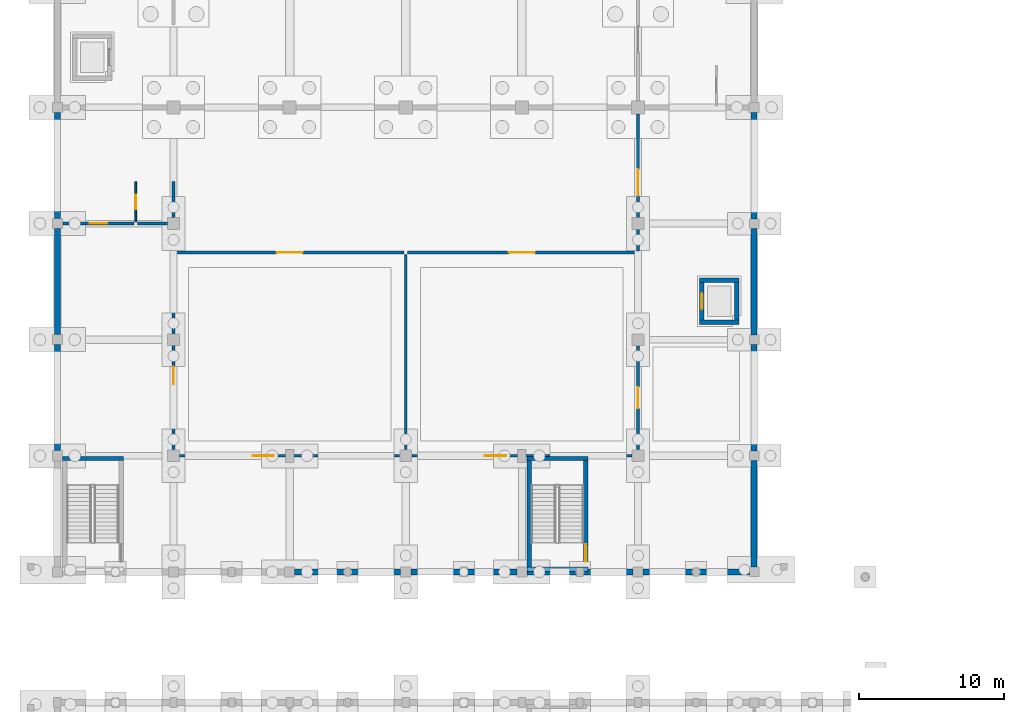
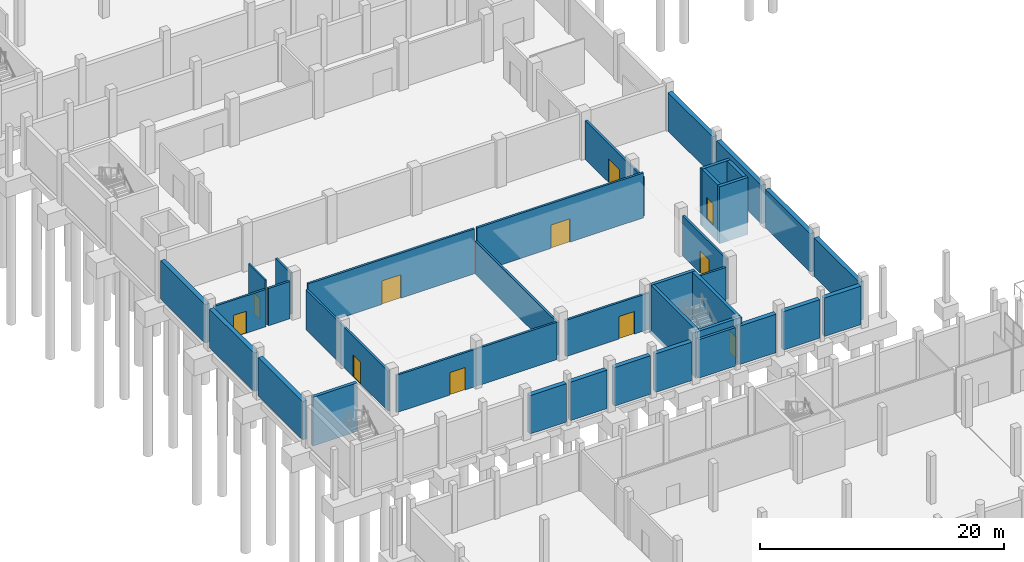
# One storey, part 26 of 52: 36 walls, 11 doors, 11 openings.
"""IFC4 building model written with IfcOpenShell, lengths in metres."""

from ifc_helpers import new_model, si_unit, direction, frame, frame_2d, origin, place, context, subcontext, project, spatial, rectangle, extrude, material, layer, layer_set, type_object, element, fill, save


model = new_model("IFC4")

# Units and contexts
model_context = context("Model", 3, precision=1e-05, world=origin(), true_north=direction((0.0, 1.0)))
body_context = subcontext(model_context, "Body", "Model", "MODEL_VIEW")
ifc_project = project(units=[si_unit("LENGTHUNIT", "METRE"), si_unit("AREAUNIT", "SQUARE_METRE"), si_unit("VOLUMEUNIT", "CUBIC_METRE"), si_unit("PLANEANGLEUNIT", "RADIAN"), si_unit("MASSUNIT", "GRAM", prefix="KILO")], contexts=[model_context])

# Site, building, storey
site_placement = place(None, origin())
site = spatial("IfcSite", under=ifc_project, at=site_placement, CompositionType="ELEMENT")
building_placement = place(site_placement, origin())
building = spatial("IfcBuilding", under=site, at=building_placement, Name="Luwemba Playhouse", CompositionType="ELEMENT")
storey_placement = place(building_placement, frame((0.0, 0.0, -4.800048828125)))
storey = spatial("IfcBuildingStorey", under=building, at=storey_placement, Name="B1", CompositionType="ELEMENT", Elevation=-4.800048828125)

# Walls
ifc_material_1 = material(Name="Concrete C40/50", Category="concrete")
ifc_layer_1 = layer(ifc_material_1, 0.300048828125)
ifc_layer_set_1 = layer_set([ifc_layer_1], Name="Concrete C40/50")
wall_type_1 = type_object("IfcWallType", Name="WAL-CORE-300", PredefinedType="SHEAR", material=ifc_layer_set_1)
wall_1_placement = place(storey_placement, frame((8.550048828125, 43.81005859375, -0.3798828125), z_axis=(0.0, 0.0, 1.0), x_axis=(-1.0, 0.0, 0.0)))
element("IfcWall", 1, at=wall_1_placement, inside=storey, type_object=wall_type_1, Name="B1 ST-01 stair core wall N", PredefinedType="SHEAR", context=body_context, shape_type="SweptSolid", body=[
    extrude(rectangle(XDim=4.199951171875, YDim=0.300048828125, at=frame_2d((2.10009765625, 0.0))), origin(), (0.0, 0.0, 1.0), 4.8798828125),
])
wall_2_placement = place(storey_placement, frame((36.35009765625, 36.18994140625, 3.85009765625), z_axis=(0.0, 0.0, 1.0), x_axis=(1.0, 0.0, 0.0)))
element("IfcWall", 2, at=wall_2_placement, inside=storey, type_object=wall_type_1, Name="B1 ST-02 stair core wall S", PredefinedType="SHEAR", context=body_context, shape_type="SweptSolid", body=[
    extrude(rectangle(XDim=4.199951171875, YDim=0.300048828125, at=frame_2d((2.10009765625, 0.0))), origin(), (0.0, 0.0, 1.0), 0.64990234375),
])
wall_3_placement = place(storey_placement, frame((40.550048828125, 43.81005859375, -0.3798828125), z_axis=(0.0, 0.0, 1.0), x_axis=(-1.0, 0.0, 0.0)))
element("IfcWall", 3, at=wall_3_placement, inside=storey, type_object=wall_type_1, Name="B1 ST-02 stair core wall N", PredefinedType="SHEAR", context=body_context, shape_type="SweptSolid", body=[
    extrude(rectangle(XDim=4.199951171875, YDim=0.300048828125, at=frame_2d((2.10009765625, 0.0))), origin(), (0.0, 0.0, 1.0), 4.8798828125),
])
wall_4_placement = place(storey_placement, frame((36.5, 36.340087890625, -0.3798828125), z_axis=(0.0, 0.0, 1.0), x_axis=(0.0, 1.0, 0.0)))
element("IfcWall", 4, at=wall_4_placement, inside=storey, type_object=wall_type_1, Name="B1 ST-02 stair core wall W", PredefinedType="SHEAR", context=body_context, shape_type="SweptSolid", body=[
    extrude(rectangle(XDim=7.31982421875, YDim=0.300048828125, at=frame_2d((3.659912109375, 0.0))), origin(), (0.0, 0.0, 1.0), 4.8798828125),
])

# Wall, opening, door
wall_5_placement = place(storey_placement, frame((40.39990234375, 36.340087890625, -0.3798828125), z_axis=(0.0, 0.0, 1.0), x_axis=(0.0, 1.0, 0.0)))
wall_5 = element("IfcWall", 5, at=wall_5_placement, inside=storey, type_object=wall_type_1, Name="B1 ST-02 stair core wall E", PredefinedType="SHEAR", context=body_context, shape_type="SweptSolid", body=[
    extrude(rectangle(XDim=7.31982421875, YDim=0.300048828125, at=frame_2d((3.659912109375, 0.0))), origin(), (0.0, 0.0, 1.0), 4.8798828125),
])
opening_1_placement = place(wall_5_placement, frame((0.35009765625, 0.0, 0.3798828125)))
opening_1 = element("IfcOpeningElement", 6, at=opening_1_placement, cuts=wall_5, Name="Opening D-STAIR3", PredefinedType="OPENING", context=body_context, shape_type="SweptSolid", body=[
    extrude(rectangle(XDim=1.199951171875, YDim=2.14990234375, at=frame_2d((0.60009765625, 1.074951171875))), frame((0.0, 0.159912109375, 0.0), z_axis=(0.0, -1.0, 0.0), x_axis=(1.0, 0.0, 0.0)), (0.0, 0.0, 1.0), 0.320068359375),
])
ifc_material_2 = material(Name="Hardwood acoustic fire door leaf", Category="wood")
door_type_1 = type_object("IfcDoorType", Name="DR-STAIR-120", OperationType="NOTDEFINED", PredefinedType="DOOR", material=ifc_material_2)
door_1_placement = place(opening_1_placement, origin())
door_1 = element("IfcDoor", 7, at=door_1_placement, inside=storey, type_object=door_type_1, Name="B1 ST-02 protected stair entry door", OperationType="SINGLE_SWING_RIGHT", OverallHeight=2.14990234375, OverallWidth=1.199951171875, PredefinedType="DOOR", context=body_context, shape_type="SweptSolid", body=[
    extrude(rectangle(XDim=1.199951171875, YDim=2.14990234375, at=frame_2d((0.60009765625, 1.074951171875))), frame((0.0, 0.02490234375, 0.0), z_axis=(0.0, -1.0, 0.0), x_axis=(1.0, 0.0, 0.0)), (0.0, 0.0, 1.0), 0.050048828125),
])
fill(opening_1, door_1)

# Walls
for number, where, z_axis, x_axis, name in (
    (8, (48.25, 53.199951171875, -1.199951171875), (0.0, 0.0, 1.0), (1.0, 0.0, 0.0), "B1 Lift LF-P1 shaft wall S"),
    (9, (50.949951171875, 56.10009765625, -1.199951171875), (0.0, 0.0, 1.0), (-1.0, 0.0, 0.0), "B1 Lift LF-P1 shaft wall N"),
):
    element("IfcWall", number, at=place(storey_placement, frame(where, z_axis=z_axis, x_axis=x_axis)), inside=storey, type_object=wall_type_1, Name=name, PredefinedType="SHEAR", context=body_context, shape_type="SweptSolid", body=[
        extrude(rectangle(XDim=2.699951171875, YDim=0.300048828125, at=frame_2d((1.35009765625, 0.0))), origin(), (0.0, 0.0, 1.0), 5.699951171875),
    ])

# Wall, opening, door
wall_6_placement = place(storey_placement, frame((48.39990234375, 53.35009765625, -1.199951171875), z_axis=(0.0, 0.0, 1.0), x_axis=(0.0, 1.0, 0.0)))
wall_6 = element("IfcWall", 10, at=wall_6_placement, inside=storey, type_object=wall_type_1, Name="B1 Lift LF-P1 shaft wall W", PredefinedType="SHEAR", context=body_context, shape_type="SweptSolid", body=[
    extrude(rectangle(XDim=2.599853515625, YDim=0.300048828125, at=frame_2d((1.2998046875, 0.0))), origin(), (0.0, 0.0, 1.0), 5.699951171875),
])
opening_2_placement = place(wall_6_placement, frame((0.75, 0.0, 1.199951171875)))
opening_2 = element("IfcOpeningElement", 11, at=opening_2_placement, cuts=wall_6, Name="Opening LD-01", PredefinedType="OPENING", context=body_context, shape_type="SweptSolid", body=[
    extrude(rectangle(XDim=1.10009765625, YDim=2.14990234375, at=frame_2d((0.550048828125, 1.074951171875))), frame((0.0, 0.159912109375, 0.0), z_axis=(0.0, -1.0, 0.0), x_axis=(1.0, 0.0, 0.0)), (0.0, 0.0, 1.0), 0.320068359375),
])
ifc_material_3 = material(Name="Stainless steel lift landing doors", Category="steel")
door_type_2 = type_object("IfcDoorType", Name="DR-LIFT-110", OperationType="NOTDEFINED", PredefinedType="DOOR", material=ifc_material_3)
door_2_placement = place(opening_2_placement, origin())
door_2 = element("IfcDoor", 12, at=door_2_placement, inside=storey, type_object=door_type_2, Name="B1 Lift LF-P1 landing door", OperationType="DOUBLE_DOOR_SLIDING", OverallHeight=2.14990234375, OverallWidth=1.10009765625, PredefinedType="DOOR", context=body_context, shape_type="SweptSolid", body=[
    extrude(rectangle(XDim=1.10009765625, YDim=2.14990234375, at=frame_2d((0.550048828125, 1.074951171875))), frame((0.0, 0.02490234375, 0.0), z_axis=(0.0, -1.0, 0.0), x_axis=(1.0, 0.0, 0.0)), (0.0, 0.0, 1.0), 0.050048828125),
])
fill(opening_2, door_2)

# Wall
wall_7_placement = place(storey_placement, frame((50.800048828125, 55.949951171875, -1.199951171875), z_axis=(0.0, 0.0, 1.0), x_axis=(0.0, -1.0, 0.0)))
element("IfcWall", 13, at=wall_7_placement, inside=storey, type_object=wall_type_1, Name="B1 Lift LF-P1 shaft wall E", PredefinedType="SHEAR", context=body_context, shape_type="SweptSolid", body=[
    extrude(rectangle(XDim=2.599853515625, YDim=0.300048828125, at=frame_2d((1.2998046875, 0.0))), origin(), (0.0, 0.0, 1.0), 5.699951171875),
])

# Wall, opening, door
ifc_material_4 = material(Name="Moisture-resistant sanitary partition", Category="gypsum")
ifc_layer_2 = layer(ifc_material_4, 0.1201171875)
ifc_layer_set_2 = layer_set([ifc_layer_2], Name="Moisture-resistant sanitary partition")
wall_type_2 = type_object("IfcWallType", Name="WAL-INT-120", PredefinedType="PARTITIONING", material=ifc_layer_set_2)
wall_8_placement = place(storey_placement, frame((9.39990234375, 60.1201171875, 0.0), z_axis=(0.0, 0.0, 1.0), x_axis=(0.0, 1.0, 0.0)))
wall_8 = element("IfcWall", 14, at=wall_8_placement, inside=storey, type_object=wall_type_2, Name="B1 V1 interior partition 0012", PredefinedType="PARTITIONING", context=body_context, shape_type="SweptSolid", body=[
    extrude(rectangle(XDim=2.759765625, YDim=0.1201171875, at=frame_2d((1.3798828125, 0.0))), origin(), (0.0, 0.0, 1.0), 4.5),
])
opening_3_placement = place(wall_8_placement, frame((0.8798828125, 0.0, 0.0)))
opening_3 = element("IfcOpeningElement", 15, at=opening_3_placement, cuts=wall_8, Name="Opening D-AWC", PredefinedType="OPENING", context=body_context, shape_type="SweptSolid", body=[
    extrude(rectangle(XDim=1.0, YDim=2.10009765625, at=frame_2d((0.5, 1.050048828125))), frame((0.0, 0.070068359375, 0.0), z_axis=(0.0, -1.0, 0.0), x_axis=(1.0, 0.0, 0.0)), (0.0, 0.0, 1.0), 0.14013671875),
])
ifc_material_5 = material(Name="Accessible WC outward-assisted timber door", Category="wood")
door_type_3 = type_object("IfcDoorType", Name="DR-AWC-100", OperationType="NOTDEFINED", PredefinedType="DOOR", material=ifc_material_5)
door_3_placement = place(opening_3_placement, origin())
door_3 = element("IfcDoor", 16, at=door_3_placement, inside=storey, type_object=door_type_3, Name="B1 Lower Foyer Public Toilets to Lower Foyer Accessible WC door", OperationType="SINGLE_SWING_LEFT", OverallHeight=2.10009765625, OverallWidth=1.0, PredefinedType="DOOR", context=body_context, shape_type="SweptSolid", body=[
    extrude(rectangle(XDim=1.0, YDim=2.10009765625, at=frame_2d((0.5, 1.050048828125))), frame((0.0, 0.02490234375, 0.0), z_axis=(0.0, -1.0, 0.0), x_axis=(1.0, 0.0, 0.0)), (0.0, 0.0, 1.0), 0.050048828125),
])
fill(opening_3, door_3)

ifc_material_6 = material(Name="Clay acoustic masonry blockwork", Category="masonry")
ifc_layer_3 = layer(ifc_material_6, 0.199951171875)
ifc_layer_set_3 = layer_set([ifc_layer_3], Name="Clay acoustic masonry blockwork")
wall_type_3 = type_object("IfcWallType", Name="WAL-INT-200", PredefinedType="PARTITIONING", material=ifc_layer_set_3)
wall_9_placement = place(storey_placement, frame((12.1201171875, 58.0, 0.0), z_axis=(0.0, 0.0, 1.0), x_axis=(1.0, 0.0, 0.0)))
wall_9 = element("IfcWall", 17, at=wall_9_placement, inside=storey, type_object=wall_type_3, Name="B1 V1 interior partition 0001", PredefinedType="PARTITIONING", context=body_context, shape_type="SweptSolid", body=[
    extrude(rectangle(XDim=15.759765625, YDim=0.199951171875, at=frame_2d((7.8798828125, 0.0))), origin(), (0.0, 0.0, 1.0), 4.5),
])
opening_4_placement = place(wall_9_placement, frame((6.97998046875, 0.0, 0.0)))
opening_4 = element("IfcOpeningElement", 18, at=opening_4_placement, cuts=wall_9, Name="Opening D-AUD1", PredefinedType="OPENING", context=body_context, shape_type="SweptSolid", body=[
    extrude(rectangle(XDim=1.800048828125, YDim=2.35009765625, at=frame_2d((0.89990234375, 1.175048828125))), frame((0.0, 0.10986328125, 0.0), z_axis=(0.0, -1.0, 0.0), x_axis=(1.0, 0.0, 0.0)), (0.0, 0.0, 1.0), 0.219970703125),
])
ifc_material_7 = material(Name="Double acoustic timber theatre door", Category="wood")
door_type_4 = type_object("IfcDoorType", Name="DR-AUD-180", OperationType="NOTDEFINED", PredefinedType="DOOR", material=ifc_material_7)
door_4_placement = place(opening_4_placement, origin())
door_4 = element("IfcDoor", 19, at=door_4_placement, inside=storey, type_object=door_type_4, Name="B1 Orchestra Pit and Lift Chamber to Orchestra Warm-Up Hall door", OperationType="DOUBLE_DOOR_SINGLE_SWING", OverallHeight=2.35009765625, OverallWidth=1.800048828125, PredefinedType="DOOR", context=body_context, shape_type="SweptSolid", body=[
    extrude(rectangle(XDim=1.800048828125, YDim=2.35009765625, at=frame_2d((0.89990234375, 1.175048828125))), frame((0.0, 0.02490234375, 0.0), z_axis=(0.0, -1.0, 0.0), x_axis=(1.0, 0.0, 0.0)), (0.0, 0.0, 1.0), 0.050048828125),
])
fill(opening_4, door_4)

wall_10_placement = place(storey_placement, frame((28.1201171875, 58.0, 0.0), z_axis=(0.0, 0.0, 1.0), x_axis=(1.0, 0.0, 0.0)))
wall_10 = element("IfcWall", 20, at=wall_10_placement, inside=storey, type_object=wall_type_3, Name="B1 V1 interior partition 0002", PredefinedType="PARTITIONING", context=body_context, shape_type="SweptSolid", body=[
    extrude(rectangle(XDim=15.759765625, YDim=0.199951171875, at=frame_2d((7.8798828125, 0.0))), origin(), (0.0, 0.0, 1.0), 4.5),
])
opening_5_placement = place(wall_10_placement, frame((6.97998046875, 0.0, 0.0)))
opening_5 = element("IfcOpeningElement", 21, at=opening_5_placement, cuts=wall_10, Name="Opening D-AUD1", PredefinedType="OPENING", context=body_context, shape_type="SweptSolid", body=[
    extrude(rectangle(XDim=1.800048828125, YDim=2.35009765625, at=frame_2d((0.89990234375, 1.175048828125))), frame((0.0, 0.10986328125, 0.0), z_axis=(0.0, -1.0, 0.0), x_axis=(1.0, 0.0, 0.0)), (0.0, 0.0, 1.0), 0.219970703125),
])
door_5_placement = place(opening_5_placement, origin())
door_5 = element("IfcDoor", 22, at=door_5_placement, inside=storey, type_object=door_type_4, Name="B1 Orchestra Pit and Lift Chamber to Instrument Vault and Ensemble Room door", OperationType="DOUBLE_DOOR_SINGLE_SWING", OverallHeight=2.35009765625, OverallWidth=1.800048828125, PredefinedType="DOOR", context=body_context, shape_type="SweptSolid", body=[
    extrude(rectangle(XDim=1.800048828125, YDim=2.35009765625, at=frame_2d((0.89990234375, 1.175048828125))), frame((0.0, 0.02490234375, 0.0), z_axis=(0.0, -1.0, 0.0), x_axis=(1.0, 0.0, 0.0)), (0.0, 0.0, 1.0), 0.050048828125),
])
fill(opening_5, door_5)

# Wall
wall_11_placement = place(storey_placement, frame((12.0, 60.419921875, 0.0), z_axis=(0.0, 0.0, 1.0), x_axis=(0.0, 1.0, 0.0)))
element("IfcWall", 23, at=wall_11_placement, inside=storey, type_object=wall_type_3, Name="B1 V1 interior partition 0003", PredefinedType="PARTITIONING", context=body_context, shape_type="SweptSolid", body=[
    extrude(rectangle(XDim=2.4599609375, YDim=0.199951171875, at=frame_2d((1.22998046875, 0.0))), origin(), (0.0, 0.0, 1.0), 4.125),
])

# Wall, opening, door
wall_12_placement = place(storey_placement, frame((44.0, 58.1201171875, 0.0), z_axis=(0.0, 0.0, 1.0), x_axis=(0.0, 1.0, 0.0)))
wall_12 = element("IfcWall", 24, at=wall_12_placement, inside=storey, type_object=wall_type_3, Name="B1 V1 interior partition 0004", PredefinedType="PARTITIONING", context=body_context, shape_type="SweptSolid", body=[
    extrude(rectangle(XDim=9.409912109375, YDim=0.199951171875, at=frame_2d((4.705078125, 0.0))), origin(), (0.0, 0.0, 1.0), 3.885009765625),
])
opening_6_placement = place(wall_12_placement, frame((3.804931640625, 0.0, 0.0)))
opening_6 = element("IfcOpeningElement", 25, at=opening_6_placement, cuts=wall_12, Name="Opening D-AUD1", PredefinedType="OPENING", context=body_context, shape_type="SweptSolid", body=[
    extrude(rectangle(XDim=1.800048828125, YDim=2.35009765625, at=frame_2d((0.89990234375, 1.175048828125))), frame((0.0, 0.10986328125, 0.0), z_axis=(0.0, -1.0, 0.0), x_axis=(1.0, 0.0, 0.0)), (0.0, 0.0, 1.0), 0.219970703125),
])
door_6_placement = place(opening_6_placement, origin())
door_6 = element("IfcDoor", 26, at=door_6_placement, inside=storey, type_object=door_type_4, Name="B1 Orchestra Pit and Lift Chamber to Dimmer and Clean Audio Switch Room door", OperationType="DOUBLE_DOOR_SINGLE_SWING", OverallHeight=2.35009765625, OverallWidth=1.800048828125, PredefinedType="DOOR", context=body_context, shape_type="SweptSolid", body=[
    extrude(rectangle(XDim=1.800048828125, YDim=2.35009765625, at=frame_2d((0.89990234375, 1.175048828125))), frame((0.0, 0.02490234375, 0.0), z_axis=(0.0, -1.0, 0.0), x_axis=(1.0, 0.0, 0.0)), (0.0, 0.0, 1.0), 0.050048828125),
])
fill(opening_6, door_6)

# Wall
wall_13_placement = place(storey_placement, frame((28.0, 44.419921875, 0.0), z_axis=(0.0, 0.0, 1.0), x_axis=(0.0, 1.0, 0.0)))
element("IfcWall", 27, at=wall_13_placement, inside=storey, type_object=wall_type_3, Name="B1 V1 interior partition 0005", PredefinedType="PARTITIONING", context=body_context, shape_type="SweptSolid", body=[
    extrude(rectangle(XDim=13.4599609375, YDim=0.199951171875, at=frame_2d((6.72998046875, 0.0))), origin(), (0.0, 0.0, 1.0), 3.28515625),
])

# Wall, opening, door
wall_14_placement = place(storey_placement, frame((12.419921875, 44.0, 0.0), z_axis=(0.0, 0.0, 1.0), x_axis=(1.0, 0.0, 0.0)))
wall_14 = element("IfcWall", 28, at=wall_14_placement, inside=storey, type_object=wall_type_3, Name="B1 V1 interior partition 0006", PredefinedType="PARTITIONING", context=body_context, shape_type="SweptSolid", body=[
    extrude(rectangle(XDim=15.16015625, YDim=0.199951171875, at=frame_2d((7.580078125, 0.0))), origin(), (0.0, 0.0, 1.0), 3.735107421875),
])
opening_7_placement = place(wall_14_placement, frame((5.035888671875, 0.0, 0.0)))
opening_7 = element("IfcOpeningElement", 29, at=opening_7_placement, cuts=wall_14, Name="Opening D-REH1", PredefinedType="OPENING", context=body_context, shape_type="SweptSolid", body=[
    extrude(rectangle(XDim=1.449951171875, YDim=2.25, at=frame_2d((0.72509765625, 1.125))), frame((0.0, 0.10986328125, 0.0), z_axis=(0.0, -1.0, 0.0), x_axis=(1.0, 0.0, 0.0)), (0.0, 0.0, 1.0), 0.219970703125),
])
ifc_material_8 = material(Name="Acoustic rehearsal leaf-and-half door", Category="wood")
door_type_5 = type_object("IfcDoorType", Name="DR-REH-145", OperationType="NOTDEFINED", PredefinedType="DOOR", material=ifc_material_8)
door_7_placement = place(opening_7_placement, origin())
door_7 = element("IfcDoor", 30, at=door_7_placement, inside=storey, type_object=door_type_5, Name="B1 Orchestra Warm-Up Hall to Auditorium Lower Foyer Corridor door", OperationType="SINGLE_SWING_RIGHT", OverallHeight=2.25, OverallWidth=1.449951171875, PredefinedType="DOOR", context=body_context, shape_type="SweptSolid", body=[
    extrude(rectangle(XDim=1.449951171875, YDim=2.25, at=frame_2d((0.72509765625, 1.125))), frame((0.0, 0.02490234375, 0.0), z_axis=(0.0, -1.0, 0.0), x_axis=(1.0, 0.0, 0.0)), (0.0, 0.0, 1.0), 0.050048828125),
])
fill(opening_7, door_7)

wall_15_placement = place(storey_placement, frame((12.0, 44.419921875, 0.0), z_axis=(0.0, 0.0, 1.0), x_axis=(0.0, 1.0, 0.0)))
wall_15 = element("IfcWall", 31, at=wall_15_placement, inside=storey, type_object=wall_type_3, Name="B1 V1 interior partition 0007", PredefinedType="PARTITIONING", context=body_context, shape_type="SweptSolid", body=[
    extrude(rectangle(XDim=13.4599609375, YDim=0.199951171875, at=frame_2d((6.72998046875, 0.0))), origin(), (0.0, 0.0, 1.0), 4.03515625),
])
opening_8_placement = place(wall_15_placement, frame((4.514892578125, 0.0, 0.0)))
opening_8 = element("IfcOpeningElement", 32, at=opening_8_placement, cuts=wall_15, Name="Opening D-FD120", PredefinedType="OPENING", context=body_context, shape_type="SweptSolid", body=[
    extrude(rectangle(XDim=1.199951171875, YDim=2.199951171875, at=frame_2d((0.60009765625, 1.10009765625))), frame((0.0, 0.10986328125, 0.0), z_axis=(0.0, -1.0, 0.0), x_axis=(1.0, 0.0, 0.0)), (0.0, 0.0, 1.0), 0.219970703125),
])
ifc_material_9 = material(Name="Steel-core fire command door leaf", Category="steel")
door_type_6 = type_object("IfcDoorType", Name="DR-FCC-120", OperationType="NOTDEFINED", PredefinedType="DOOR", material=ifc_material_9)
door_8_placement = place(opening_8_placement, origin())
door_8 = element("IfcDoor", 33, at=door_8_placement, inside=storey, type_object=door_type_6, Name="B1 Orchestra Warm-Up Hall to Auditorium Displacement Acoustic Plant Room door", OperationType="SINGLE_SWING_LEFT", OverallHeight=2.199951171875, OverallWidth=1.199951171875, PredefinedType="DOOR", context=body_context, shape_type="SweptSolid", body=[
    extrude(rectangle(XDim=1.199951171875, YDim=2.199951171875, at=frame_2d((0.60009765625, 1.10009765625))), frame((0.0, 0.02490234375, 0.0), z_axis=(0.0, -1.0, 0.0), x_axis=(1.0, 0.0, 0.0)), (0.0, 0.0, 1.0), 0.050048828125),
])
fill(opening_8, door_8)

wall_16_placement = place(storey_placement, frame((28.419921875, 44.0, 0.0), z_axis=(0.0, 0.0, 1.0), x_axis=(1.0, 0.0, 0.0)))
wall_16 = element("IfcWall", 34, at=wall_16_placement, inside=storey, type_object=wall_type_3, Name="B1 V1 interior partition 0008", PredefinedType="PARTITIONING", context=body_context, shape_type="SweptSolid", body=[
    extrude(rectangle(XDim=15.16015625, YDim=0.199951171875, at=frame_2d((7.580078125, 0.0))), origin(), (0.0, 0.0, 1.0), 3.635009765625),
])
opening_9_placement = place(wall_16_placement, frame((5.035888671875, 0.0, 0.0)))
opening_9 = element("IfcOpeningElement", 35, at=opening_9_placement, cuts=wall_16, Name="Opening D-REH1", PredefinedType="OPENING", context=body_context, shape_type="SweptSolid", body=[
    extrude(rectangle(XDim=1.449951171875, YDim=2.25, at=frame_2d((0.72509765625, 1.125))), frame((0.0, 0.10986328125, 0.0), z_axis=(0.0, -1.0, 0.0), x_axis=(1.0, 0.0, 0.0)), (0.0, 0.0, 1.0), 0.219970703125),
])
door_9_placement = place(opening_9_placement, origin())
door_9 = element("IfcDoor", 36, at=door_9_placement, inside=storey, type_object=door_type_5, Name="B1 Instrument Vault and Ensemble Room to Auditorium Lower Foyer Corridor door", OperationType="SINGLE_SWING_RIGHT", OverallHeight=2.25, OverallWidth=1.449951171875, PredefinedType="DOOR", context=body_context, shape_type="SweptSolid", body=[
    extrude(rectangle(XDim=1.449951171875, YDim=2.25, at=frame_2d((0.72509765625, 1.125))), frame((0.0, 0.02490234375, 0.0), z_axis=(0.0, -1.0, 0.0), x_axis=(1.0, 0.0, 0.0)), (0.0, 0.0, 1.0), 0.050048828125),
])
fill(opening_9, door_9)

wall_17_placement = place(storey_placement, frame((44.0, 44.419921875, 0.0), z_axis=(0.0, 0.0, 1.0), x_axis=(0.0, 1.0, 0.0)))
wall_17 = element("IfcWall", 37, at=wall_17_placement, inside=storey, type_object=wall_type_3, Name="B1 V1 interior partition 0009", PredefinedType="PARTITIONING", context=body_context, shape_type="SweptSolid", body=[
    extrude(rectangle(XDim=7.16015625, YDim=0.199951171875, at=frame_2d((3.580078125, 0.0))), origin(), (0.0, 0.0, 1.0), 4.03515625),
])
opening_10_placement = place(wall_17_placement, frame((2.85498046875, 0.0, 0.0)))
opening_10 = element("IfcOpeningElement", 38, at=opening_10_placement, cuts=wall_17, Name="Opening D-REH1", PredefinedType="OPENING", context=body_context, shape_type="SweptSolid", body=[
    extrude(rectangle(XDim=1.449951171875, YDim=2.25, at=frame_2d((0.72509765625, 1.125))), frame((0.0, 0.10986328125, 0.0), z_axis=(0.0, -1.0, 0.0), x_axis=(1.0, 0.0, 0.0)), (0.0, 0.0, 1.0), 0.219970703125),
])
door_10_placement = place(opening_10_placement, origin())
door_10 = element("IfcDoor", 39, at=door_10_placement, inside=storey, type_object=door_type_5, Name="B1 Instrument Vault and Ensemble Room to Patron Cloakroom and Interval Store door", OperationType="SINGLE_SWING_LEFT", OverallHeight=2.25, OverallWidth=1.449951171875, PredefinedType="DOOR", context=body_context, shape_type="SweptSolid", body=[
    extrude(rectangle(XDim=1.449951171875, YDim=2.25, at=frame_2d((0.72509765625, 1.125))), frame((0.0, 0.02490234375, 0.0), z_axis=(0.0, -1.0, 0.0), x_axis=(1.0, 0.0, 0.0)), (0.0, 0.0, 1.0), 0.050048828125),
])
fill(opening_10, door_10)

wall_18_placement = place(storey_placement, frame((4.3701171875, 60.0, 0.0), z_axis=(0.0, 0.0, 1.0), x_axis=(1.0, 0.0, 0.0)))
wall_18 = element("IfcWall", 40, at=wall_18_placement, inside=storey, type_object=wall_type_3, Name="B1 V1 interior partition 0010", PredefinedType="PARTITIONING", context=body_context, shape_type="SweptSolid", body=[
    extrude(rectangle(XDim=4.909912109375, YDim=0.199951171875, at=frame_2d((2.455078125, 0.0))), origin(), (0.0, 0.0, 1.0), 3.735107421875),
])
opening_11_placement = place(wall_18_placement, frame((1.85498046875, 0.0, 0.0)))
opening_11 = element("IfcOpeningElement", 41, at=opening_11_placement, cuts=wall_18, Name="Opening D-FD120", PredefinedType="OPENING", context=body_context, shape_type="SweptSolid", body=[
    extrude(rectangle(XDim=1.199951171875, YDim=2.199951171875, at=frame_2d((0.60009765625, 1.10009765625))), frame((0.0, 0.10986328125, 0.0), z_axis=(0.0, -1.0, 0.0), x_axis=(1.0, 0.0, 0.0)), (0.0, 0.0, 1.0), 0.219970703125),
])
door_11_placement = place(opening_11_placement, origin())
door_11 = element("IfcDoor", 42, at=door_11_placement, inside=storey, type_object=door_type_6, Name="B1 Auditorium Displacement Acoustic Plant Room to Lower Foyer Public Toilets door", OperationType="SINGLE_SWING_RIGHT", OverallHeight=2.199951171875, OverallWidth=1.199951171875, PredefinedType="DOOR", context=body_context, shape_type="SweptSolid", body=[
    extrude(rectangle(XDim=1.199951171875, YDim=2.199951171875, at=frame_2d((0.60009765625, 1.10009765625))), frame((0.0, 0.02490234375, 0.0), z_axis=(0.0, -1.0, 0.0), x_axis=(1.0, 0.0, 0.0)), (0.0, 0.0, 1.0), 0.050048828125),
])
fill(opening_11, door_11)

# Walls
wall_19_placement = place(storey_placement, frame((9.52001953125, 60.0, 0.0), z_axis=(0.0, 0.0, 1.0), x_axis=(1.0, 0.0, 0.0)))
element("IfcWall", 43, at=wall_19_placement, inside=storey, type_object=wall_type_3, Name="B1 V1 interior partition 0011", PredefinedType="PARTITIONING", context=body_context, shape_type="SweptSolid", body=[
    extrude(rectangle(XDim=2.06005859375, YDim=0.199951171875, at=frame_2d((1.030029296875, 0.0))), origin(), (0.0, 0.0, 1.0), 3.735107421875),
])
ifc_material_10 = material(Name="Concrete C32/40", Category="concrete")
ifc_layer_4 = layer(ifc_material_10, 0.419921875)
ifc_layer_set_4 = layer_set([ifc_layer_4], Name="Concrete C32/40")
wall_type_4 = type_object("IfcWallType", Name="WAL-RET-420", PredefinedType="USERDEFINED", material=ifc_layer_set_4)
for number, where, z_axis, x_axis, name in (
    (44, (4.0, 44.35009765625, 0.0), (0.0, 0.0, 1.0), (0.0, 1.0, 0.0), "Basement retaining wall 002"),
    (45, (4.0, 52.35009765625, 0.0), (0.0, 0.0, 1.0), (0.0, 1.0, 0.0), "Basement retaining wall 003"),
    (46, (4.0, 60.35009765625, 0.0), (0.0, 0.0, 1.0), (0.0, 1.0, 0.0), "Basement retaining wall 004"),
):
    element("IfcWall", number, at=place(storey_placement, frame(where, z_axis=z_axis, x_axis=x_axis)), inside=storey, type_object=wall_type_4, Name=name, ObjectType="RETAINING WALL", PredefinedType="USERDEFINED", context=body_context, shape_type="SweptSolid", body=[
        extrude(rectangle(XDim=7.2998046875, YDim=0.419921875, at=frame_2d((3.64990234375, 0.0))), origin(), (0.0, 0.0, 1.0), 3.85009765625),
    ])
wall_20_placement = place(storey_placement, frame((52.0, 67.64990234375, 0.0), z_axis=(0.0, 0.0, 1.0), x_axis=(0.0, -1.0, 0.0)))
element("IfcWall", 47, at=wall_20_placement, inside=storey, type_object=wall_type_4, Name="Basement retaining wall 005", ObjectType="RETAINING WALL", PredefinedType="USERDEFINED", context=body_context, shape_type="SweptSolid", body=[
    extrude(rectangle(XDim=7.324951171875, YDim=0.419921875, at=frame_2d((3.66259765625, 0.0))), origin(), (0.0, 0.0, 1.0), 3.85009765625),
])
for number, where, z_axis, x_axis, name in (
    (48, (52.0, 59.675048828125, 0.0), (0.0, 0.0, 1.0), (0.0, -1.0, 0.0), "Basement retaining wall 006"),
    (49, (52.0, 51.675048828125, 0.0), (0.0, 0.0, 1.0), (0.0, -1.0, 0.0), "Basement retaining wall 007"),
    (50, (52.0, 43.675048828125, 0.0), (0.0, 0.0, 1.0), (0.0, -1.0, 0.0), "Basement retaining wall 008"),
):
    element("IfcWall", number, at=place(storey_placement, frame(where, z_axis=z_axis, x_axis=x_axis)), inside=storey, type_object=wall_type_4, Name=name, ObjectType="RETAINING WALL", PredefinedType="USERDEFINED", context=body_context, shape_type="SweptSolid", body=[
        extrude(rectangle(XDim=7.35009765625, YDim=0.419921875, at=frame_2d((3.675048828125, 0.0))), origin(), (0.0, 0.0, 1.0), 3.85009765625),
    ])
wall_21_placement = place(storey_placement, frame((51.675048828125, 36.0, 0.0), z_axis=(0.0, 0.0, 1.0), x_axis=(-1.0, 0.0, 0.0)))
element("IfcWall", 51, at=wall_21_placement, inside=storey, type_object=wall_type_4, Name="Basement retaining wall 009", ObjectType="RETAINING WALL", PredefinedType="USERDEFINED", context=body_context, shape_type="SweptSolid", body=[
    extrude(rectangle(XDim=3.47509765625, YDim=0.419921875, at=frame_2d((1.737548828125, 0.0))), origin(), (0.0, 0.0, 1.0), 3.85009765625),
])
wall_22_placement = place(storey_placement, frame((47.800048828125, 36.0, 0.0), z_axis=(0.0, 0.0, 1.0), x_axis=(-1.0, 0.0, 0.0)))
element("IfcWall", 52, at=wall_22_placement, inside=storey, type_object=wall_type_4, Name="Basement retaining wall 010", ObjectType="RETAINING WALL", PredefinedType="USERDEFINED", context=body_context, shape_type="SweptSolid", body=[
    extrude(rectangle(XDim=3.449951171875, YDim=0.419921875, at=frame_2d((1.72509765625, 0.0))), origin(), (0.0, 0.0, 1.0), 3.85009765625),
])
for number, where, z_axis, x_axis, name in (
    (53, (43.64990234375, 36.0, 0.0), (0.0, 0.0, 1.0), (-1.0, 0.0, 0.0), "Basement retaining wall 011"),
    (54, (39.77490234375, 36.0, 0.0), (0.0, 0.0, 1.0), (-1.0, 0.0, 0.0), "Basement retaining wall 012"),
):
    element("IfcWall", number, at=place(storey_placement, frame(where, z_axis=z_axis, x_axis=x_axis)), inside=storey, type_object=wall_type_4, Name=name, ObjectType="RETAINING WALL", PredefinedType="USERDEFINED", context=body_context, shape_type="SweptSolid", body=[
        extrude(rectangle(XDim=3.4248046875, YDim=0.419921875, at=frame_2d((1.71240234375, 0.0))), origin(), (0.0, 0.0, 1.0), 3.85009765625),
    ])
for number, where, z_axis, x_axis, name in (
    (55, (35.64990234375, 36.0, 0.0), (0.0, 0.0, 1.0), (-1.0, 0.0, 0.0), "Basement retaining wall 013"),
    (56, (31.75, 36.0, 0.0), (0.0, 0.0, 1.0), (-1.0, 0.0, 0.0), "Basement retaining wall 014"),
):
    element("IfcWall", number, at=place(storey_placement, frame(where, z_axis=z_axis, x_axis=x_axis)), inside=storey, type_object=wall_type_4, Name=name, ObjectType="RETAINING WALL", PredefinedType="USERDEFINED", context=body_context, shape_type="SweptSolid", body=[
        extrude(rectangle(XDim=3.39990234375, YDim=0.419921875, at=frame_2d((1.699951171875, 0.0))), origin(), (0.0, 0.0, 1.0), 3.85009765625),
    ])
for number, where, z_axis, x_axis, name in (
    (57, (27.64990234375, 36.0, 0.0), (0.0, 0.0, 1.0), (-1.0, 0.0, 0.0), "Basement retaining wall 015"),
    (58, (23.800048828125, 36.0, 0.0), (0.0, 0.0, 1.0), (-1.0, 0.0, 0.0), "Basement retaining wall 016"),
):
    element("IfcWall", number, at=place(storey_placement, frame(where, z_axis=z_axis, x_axis=x_axis)), inside=storey, type_object=wall_type_4, Name=name, ObjectType="RETAINING WALL", PredefinedType="USERDEFINED", context=body_context, shape_type="SweptSolid", body=[
        extrude(rectangle(XDim=3.449951171875, YDim=0.419921875, at=frame_2d((1.72509765625, 0.0))), origin(), (0.0, 0.0, 1.0), 3.85009765625),
    ])

save(model, "model.ifc")
